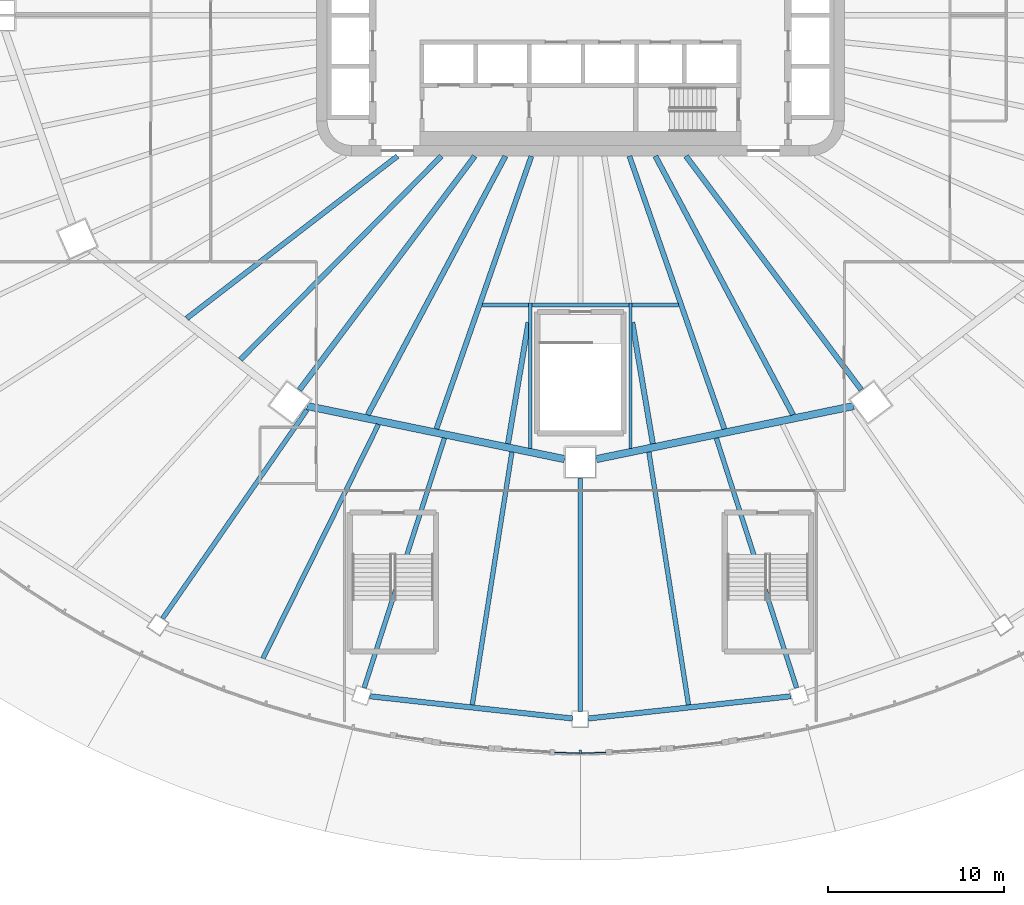
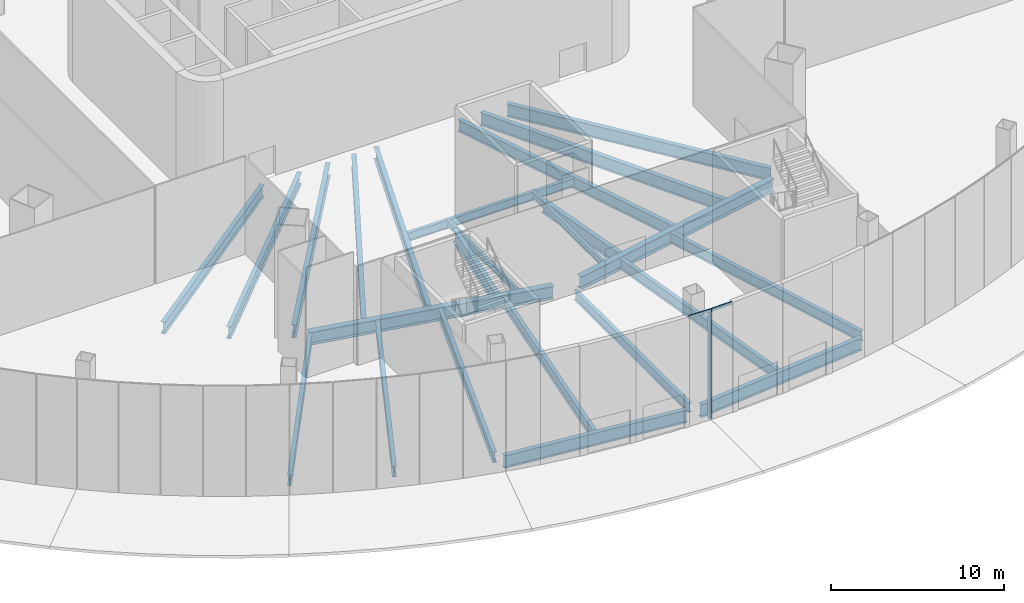
# One storey, part 3 of 36: 24 beams, 3 members, 2 elements without a shape of their own.
"""IFC4 building model written with IfcOpenShell, lengths in metres."""

from ifc_helpers import new_model, si_unit, direction, frame, origin, origin_2d, place, context, subcontext, project, spatial, rectangle, i_section, extrude, material, layer, layer_set, material_profile, profile_set, type_object, element, aggregate, save


model = new_model("IFC4")

# Units and contexts
model_context = context("Model", 3, precision=1e-05, world=origin(), true_north=direction((0.0, 1.0)))
body_context = subcontext(model_context, "Body", "Model", "MODEL_VIEW")
ifc_project = project(units=[si_unit("LENGTHUNIT", "METRE"), si_unit("AREAUNIT", "SQUARE_METRE"), si_unit("VOLUMEUNIT", "CUBIC_METRE"), si_unit("PLANEANGLEUNIT", "RADIAN"), si_unit("MASSUNIT", "GRAM", prefix="KILO")], contexts=[model_context])

# Site, building, storey
site_placement = place(None, origin())
site = spatial("IfcSite", under=ifc_project, at=site_placement, CompositionType="ELEMENT")
building_placement = place(site_placement, origin())
building = spatial("IfcBuilding", under=site, at=building_placement, Name="Sahrelin Media Tower", CompositionType="ELEMENT")
storey_placement = place(building_placement, origin())
storey = spatial("IfcBuildingStorey", under=building, at=storey_placement, Name="L00", CompositionType="ELEMENT", Elevation=0.0)

# Beams
ifc_material_1 = material(Name="Steel S355", Category="steel")
ifc_material_profile_1 = material_profile(ifc_material_1, i_section(OverallWidth=0.1904296875, OverallDepth=0.45703125, WebThickness=0.009033203125, FlangeThickness=0.014404296875, FilletRadius=0.01025390625, at=origin_2d()), Name="UB 457x191x74")
ifc_profile_set_1 = profile_set([ifc_material_profile_1], Name="Steel S355")
beam_type_1 = type_object("IfcBeamType", Name="Header beam HB5", PredefinedType="BEAM", material=ifc_profile_set_1)
for number, where, z_axis, x_axis, name in (
    (1, (-2.85009765625, -24.5986328125, -0.528564453125), (0.0, 1.0, 0.0), (-1.0, 0.0, 0.0), "Header beam L00-05"),
    (2, (2.85009765625, -16.335693359375, -0.528564453125), (0.0, -1.0, 0.0), (1.0, 0.0, 0.0), "Header beam L00-06"),
):
    element("IfcBeam", number, at=place(storey_placement, frame(where, z_axis=z_axis, x_axis=x_axis)), inside=storey, type_object=beam_type_1, Name=name, PredefinedType="BEAM", context=body_context, shape_type="SweptSolid", body=[
        extrude(i_section(OverallWidth=0.1904296875, OverallDepth=0.45703125, WebThickness=0.009033203125, FlangeThickness=0.014404296875, FilletRadius=0.01025390625, at=origin_2d()), origin(), (0.0, 0.0, 1.0), 8.262939453125),
    ])
ifc_material_profile_2 = material_profile(ifc_material_1, i_section(OverallWidth=0.2275390625, OverallDepth=0.6025390625, WebThickness=0.010498046875, FlangeThickness=0.014892578125, FilletRadius=0.0126953125, at=origin_2d()), Name="UB 610x229x101")
ifc_profile_set_2 = profile_set([ifc_material_profile_2], Name="Steel S355")
beam_type_2 = type_object("IfcBeamType", Name="Header beam HB7", PredefinedType="BEAM", material=ifc_profile_set_2)
beam_1_placement = place(storey_placement, frame((-5.572265625, -16.449951171875, -0.601318359375), z_axis=(1.0, 0.0, 0.0), x_axis=(0.0, 1.0, 0.0)))
element("IfcBeam", 3, at=beam_1_placement, inside=storey, type_object=beam_type_2, Name="Header beam L00-02", PredefinedType="BEAM", context=body_context, shape_type="SweptSolid", body=[
    extrude(i_section(OverallWidth=0.2275390625, OverallDepth=0.6025390625, WebThickness=0.010498046875, FlangeThickness=0.014892578125, FilletRadius=0.0126953125, at=origin_2d()), origin(), (0.0, 0.0, 1.0), 11.14453125),
])

# Curtain wall, member
ifc_material_2 = material(Name="Champagne anodised aluminium 6063-T6", Category="aluminium")
ifc_layer = layer(ifc_material_2, 0.14990234375)
ifc_layer_set = layer_set([ifc_layer], Name="Entrance bay curtain wall")
curtain_wall_type = type_object("IfcCurtainWallType", Name="Entrance bay curtain wall", PredefinedType="NOTDEFINED", material=ifc_layer_set)
curtain_wall_1_placement = place(storey_placement, frame((0.0, -42.0, 0.0), z_axis=(0.0, 0.0, 1.0), x_axis=(1.0, 0.0, 0.0)))
curtain_wall_1 = element("IfcCurtainWall", 4, at=curtain_wall_1_placement, inside=storey, type_object=curtain_wall_type, Name="L00:CW:L00-P18", PredefinedType="NOTDEFINED")
ifc_material_profile_3 = material_profile(ifc_material_2, rectangle(XDim=0.1201171875, YDim=0.25, at=origin_2d()), Name="Mullion 120x250")
ifc_profile_set_3 = profile_set([ifc_material_profile_3], Name="Champagne anodised aluminium 6063-T6")
member_type_1 = type_object("IfcMemberType", Name="Mullion 120x250 CW6", PredefinedType="MULLION", material=ifc_profile_set_3)
member_1_placement = place(storey_placement, frame((-0.003173828125, -41.85498046875, 0.0), z_axis=(0.0, 0.0, 1.0), x_axis=(0.999757820498, 0.022006825162, 0.0)))
member_1 = element("IfcMember", 5, at=member_1_placement, type_object=member_type_1, Name="L00:CWM1:L00-P18", PredefinedType="MULLION", context=body_context, shape_type="SweptSolid", body=[
    extrude(rectangle(XDim=0.1201171875, YDim=0.25, at=origin_2d()), origin(), (0.0, 0.0, 1.0), 7.60009765625),
])

# Beams
ifc_material_profile_4 = material_profile(ifc_material_1, i_section(OverallWidth=0.30322265625, OverallDepth=0.903076171875, WebThickness=0.01513671875, FlangeThickness=0.020263671875, FilletRadius=0.01904296875, at=origin_2d()), Name="UB 914x305x201")
ifc_profile_set_4 = profile_set([ifc_material_profile_4], Name="Steel S355")
beam_type_3 = type_object("IfcBeamType", Name="Podium edge girder PE11", PredefinedType="BEAM", material=ifc_profile_set_4)
for number, where, z_axis, x_axis, name in (
    (6, (-11.966796875, -38.68701171875, -0.75146484375), (0.994034160473, -0.109069188193, 0.0), (0.109069188193, 0.994034160473, 0.0), "Podium edge girder L00-18"),
    (7, (0.449951171875, -39.95068359375, -0.75146484375), (0.994034160473, 0.109069188193, 0.0), (-0.109069188193, 0.994034160473, 0.0), "Podium edge girder L00-19"),
):
    element("IfcBeam", number, at=place(storey_placement, frame(where, z_axis=z_axis, x_axis=x_axis)), inside=storey, type_object=beam_type_3, Name=name, PredefinedType="BEAM", context=body_context, shape_type="SweptSolid", body=[
        extrude(i_section(OverallWidth=0.30322265625, OverallDepth=0.903076171875, WebThickness=0.01513671875, FlangeThickness=0.020263671875, FilletRadius=0.01904296875, at=origin_2d()), origin(), (0.0, 0.0, 1.0), 11.5859375),
    ])
ifc_material_profile_5 = material_profile(ifc_material_1, i_section(OverallWidth=0.41845703125, OverallDepth=0.911865234375, WebThickness=0.019287109375, FlangeThickness=0.031982421875, FilletRadius=0.024169921875, at=origin_2d()), Name="UB 914x419x343")
ifc_profile_set_5 = profile_set([ifc_material_profile_5], Name="Steel S355")
beam_type_4 = type_object("IfcBeamType", Name="Podium ring girder PG12", PredefinedType="BEAM", material=ifc_profile_set_5)
for number, where, z_axis, x_axis, name in (
    (8, (-15.525634765625, -22.197998046875, -0.755859375), (0.979388513106, -0.201985495508, 0.0), (0.201985495508, 0.979388513106, 0.0), "Podium girder L00-09"),
    (9, (0.89990234375, -25.21435546875, -0.755859375), (0.979388513106, 0.201985495508, 0.0), (-0.201985495508, 0.979388513106, 0.0), "Podium girder L00-10"),
):
    element("IfcBeam", number, at=place(storey_placement, frame(where, z_axis=z_axis, x_axis=x_axis)), inside=storey, type_object=beam_type_4, Name=name, PredefinedType="BEAM", context=body_context, shape_type="SweptSolid", body=[
        extrude(i_section(OverallWidth=0.41845703125, OverallDepth=0.911865234375, WebThickness=0.019287109375, FlangeThickness=0.031982421875, FilletRadius=0.024169921875, at=origin_2d()), origin(), (0.0, 0.0, 1.0), 14.93359375),
    ])
ifc_material_profile_6 = material_profile(ifc_material_1, i_section(OverallWidth=0.291748046875, OverallDepth=0.8349609375, WebThickness=0.013916015625, FlangeThickness=0.018798828125, FilletRadius=0.017822265625, at=origin_2d()), Name="UB 838x292x176")
ifc_profile_set_6 = profile_set([ifc_material_profile_6], Name="Steel S355")
beam_type_5 = type_object("IfcBeamType", Name="Radial primary beam PB10", PredefinedType="BEAM", material=ifc_profile_set_6)
beam_2_placement = place(storey_placement, frame((-10.393798828125, -8.0, -0.71728515625), z_axis=(-0.79244196099, -0.609947324335, 0.0), x_axis=(0.609947324335, -0.79244196099, 0.0)))
element("IfcBeam", 10, at=beam_2_placement, inside=storey, type_object=beam_type_5, Name="Radial beam L00-16", PredefinedType="BEAM", context=body_context, shape_type="SweptSolid", body=[
    extrude(i_section(OverallWidth=0.291748046875, OverallDepth=0.8349609375, WebThickness=0.013916015625, FlangeThickness=0.018798828125, FilletRadius=0.017822265625, at=origin_2d()), origin(), (0.0, 0.0, 1.0), 15.1103515625),
])
for number, where, z_axis, x_axis, name in (
    (11, (-2.784912109375, -8.0, -0.71728515625), (-0.328776215552, -0.944407856854, 0.0), (0.944407856854, -0.328776215552, 0.0), "Radial beam L00-18"),
    (12, (2.784912109375, -8.0, -0.71728515625), (0.328776215552, -0.944407856854, 0.0), (0.944407856854, 0.328776215552, 0.0), "Radial beam L00-20"),
):
    element("IfcBeam", number, at=place(storey_placement, frame(where, z_axis=z_axis, x_axis=x_axis)), inside=storey, type_object=beam_type_5, Name=name, PredefinedType="BEAM", context=body_context, shape_type="SweptSolid", body=[
        extrude(i_section(OverallWidth=0.291748046875, OverallDepth=0.8349609375, WebThickness=0.013916015625, FlangeThickness=0.018798828125, FilletRadius=0.017822265625, at=origin_2d()), origin(), (0.0, 0.0, 1.0), 16.41162109375),
    ])
ifc_material_profile_7 = material_profile(ifc_material_1, i_section(OverallWidth=0.30322265625, OverallDepth=0.903076171875, WebThickness=0.01513671875, FlangeThickness=0.020263671875, FilletRadius=0.01904296875, at=origin_2d()), Name="UB 914x305x201")
ifc_profile_set_7 = profile_set([ifc_material_profile_7], Name="Steel S355")
beam_type_6 = type_object("IfcBeamType", Name="Radial primary beam PB11", PredefinedType="BEAM", material=ifc_profile_set_7)
for number, where, z_axis, x_axis, name in (
    (13, (-6.000732421875, -8.0, -0.75146484375), (-0.600054130443, -0.799959399306, 0.0), (0.799959399306, -0.600054130443, 0.0), "Radial beam L00-17"),
    (14, (6.000732421875, -8.0, -0.75146484375), (0.600054130443, -0.799959399306, 0.0), (0.799959399306, 0.600054130443, 0.0), "Radial beam L00-21"),
):
    element("IfcBeam", number, at=place(storey_placement, frame(where, z_axis=z_axis, x_axis=x_axis)), inside=storey, type_object=beam_type_6, Name=name, PredefinedType="BEAM", context=body_context, shape_type="SweptSolid", body=[
        extrude(i_section(OverallWidth=0.30322265625, OverallDepth=0.903076171875, WebThickness=0.01513671875, FlangeThickness=0.020263671875, FilletRadius=0.01904296875, at=origin_2d()), origin(), (0.0, 0.0, 1.0), 16.59716796875),
    ])
ifc_material_profile_8 = material_profile(ifc_material_1, i_section(OverallWidth=0.2529296875, OverallDepth=0.677978515625, WebThickness=0.01171875, FlangeThickness=0.01611328125, FilletRadius=0.01513671875, at=origin_2d()), Name="UB 686x254x125")
ifc_profile_set_8 = profile_set([ifc_material_profile_8], Name="Steel S355")
beam_type_7 = type_object("IfcBeamType", Name="Radial primary beam PB8", PredefinedType="BEAM", material=ifc_profile_set_8)
beam_3_placement = place(storey_placement, frame((0.0, -26.300048828125, -0.638916015625), z_axis=(0.0, -1.0, 0.0), x_axis=(1.0, 0.0, 0.0)))
element("IfcBeam", 15, at=beam_3_placement, inside=storey, type_object=beam_type_7, Name="Radial beam L00-19", PredefinedType="BEAM", context=body_context, shape_type="SweptSolid", body=[
    extrude(i_section(OverallWidth=0.2529296875, OverallDepth=0.677978515625, WebThickness=0.01171875, FlangeThickness=0.01611328125, FilletRadius=0.01513671875, at=origin_2d()), origin(), (0.0, 0.0, 1.0), 13.25),
])
ifc_material_profile_9 = material_profile(ifc_material_1, i_section(OverallWidth=0.26513671875, OverallDepth=0.75390625, WebThickness=0.0126953125, FlangeThickness=0.017578125, FilletRadius=0.0166015625, at=origin_2d()), Name="UB 762x267x147")
ifc_profile_set_9 = profile_set([ifc_material_profile_9], Name="Steel S355")
beam_type_8 = type_object("IfcBeamType", Name="Radial primary beam PB9", PredefinedType="BEAM", material=ifc_profile_set_9)
beam_4_placement = place(storey_placement, frame((-15.527099609375, -22.411376953125, -0.677001953125), z_axis=(-0.569493278726, -0.821995988729, 0.0), x_axis=(0.821995988729, -0.569493278726, 0.0)))
element("IfcBeam", 16, at=beam_4_placement, inside=storey, type_object=beam_type_8, Name="Radial beam L00-17", PredefinedType="BEAM", context=body_context, shape_type="SweptSolid", body=[
    extrude(i_section(OverallWidth=0.26513671875, OverallDepth=0.75390625, WebThickness=0.0126953125, FlangeThickness=0.017578125, FilletRadius=0.0166015625, at=origin_2d()), origin(), (0.0, 0.0, 1.0), 14.427734375),
])
for number, where, z_axis, x_axis, name in (
    (17, (-7.7236328125, -24.020751953125, -0.677001953125), (-0.306110461813, -0.951996000606, 0.0), (0.951996000606, -0.306110461813, 0.0), "Radial beam L00-18"),
    (18, (7.7236328125, -24.020751953125, -0.677001953125), (0.306110461813, -0.951996000606, 0.0), (0.951996000606, 0.306110461813, 0.0), "Radial beam L00-20"),
):
    element("IfcBeam", number, at=place(storey_placement, frame(where, z_axis=z_axis, x_axis=x_axis)), inside=storey, type_object=beam_type_8, Name=name, PredefinedType="BEAM", context=body_context, shape_type="SweptSolid", body=[
        extrude(i_section(OverallWidth=0.26513671875, OverallDepth=0.75390625, WebThickness=0.0126953125, FlangeThickness=0.017578125, FilletRadius=0.0166015625, at=origin_2d()), origin(), (0.0, 0.0, 1.0), 14.903076171875),
    ])
ifc_material_profile_10 = material_profile(ifc_material_1, i_section(OverallWidth=0.291748046875, OverallDepth=0.8349609375, WebThickness=0.013916015625, FlangeThickness=0.018798828125, FilletRadius=0.017822265625, at=origin_2d()), Name="UB 838x292x176")
ifc_profile_set_10 = profile_set([ifc_material_profile_10], Name="Steel S355")
beam_type_9 = type_object("IfcBeamType", Name="Radial secondary beam SB10", PredefinedType="BEAM", material=ifc_profile_set_10)
beam_5_placement = place(storey_placement, frame((-7.901123046875, -8.0, -0.71728515625), z_axis=(-0.702706329063, -0.711480017355, 0.0), x_axis=(0.711480017355, -0.702706329063, 0.0)))
element("IfcBeam", 19, at=beam_5_placement, inside=storey, type_object=beam_type_9, Name="Secondary beam L00-18", PredefinedType="BEAM", context=body_context, shape_type="SweptSolid", body=[
    extrude(i_section(OverallWidth=0.291748046875, OverallDepth=0.8349609375, WebThickness=0.013916015625, FlangeThickness=0.018798828125, FilletRadius=0.017822265625, at=origin_2d()), origin(), (0.0, 0.0, 1.0), 16.250732421875),
])
ifc_material_profile_11 = material_profile(ifc_material_1, i_section(OverallWidth=0.30322265625, OverallDepth=0.903076171875, WebThickness=0.01513671875, FlangeThickness=0.020263671875, FilletRadius=0.01904296875, at=origin_2d()), Name="UB 914x305x201")
ifc_profile_set_11 = profile_set([ifc_material_profile_11], Name="Steel S355")
beam_type_10 = type_object("IfcBeamType", Name="Radial secondary beam SB11", PredefinedType="BEAM", material=ifc_profile_set_11)
beam_6_placement = place(storey_placement, frame((-4.259765625, -8.0, -0.75146484375), z_axis=(-0.469997453325, -0.882667770947, 0.0), x_axis=(0.882667770947, -0.469997453325, 0.0)))
element("IfcBeam", 20, at=beam_6_placement, inside=storey, type_object=beam_type_10, Name="Secondary beam L00-19", PredefinedType="BEAM", context=body_context, shape_type="SweptSolid", body=[
    extrude(i_section(OverallWidth=0.30322265625, OverallDepth=0.903076171875, WebThickness=0.01513671875, FlangeThickness=0.020263671875, FilletRadius=0.01904296875, at=origin_2d()), origin(), (0.0, 0.0, 1.0), 16.6474609375),
])
for number, where, z_axis, x_axis, name in (
    (21, (-2.949951171875, -17.44677734375, -0.75146484375), (-0.166704170057, -0.98600695722, 0.0), (0.98600695722, -0.166704170057, 0.0), "Secondary beam L00-21"),
    (22, (2.949951171875, -17.44677734375, -0.75146484375), (0.166704170057, -0.98600695722, 0.0), (0.98600695722, 0.166704170057, 0.0), "Secondary beam L00-23"),
):
    element("IfcBeam", number, at=place(storey_placement, frame(where, z_axis=z_axis, x_axis=x_axis)), inside=storey, type_object=beam_type_10, Name=name, PredefinedType="BEAM", context=body_context, shape_type="SweptSolid", body=[
        extrude(i_section(OverallWidth=0.30322265625, OverallDepth=0.903076171875, WebThickness=0.01513671875, FlangeThickness=0.020263671875, FilletRadius=0.01904296875, at=origin_2d()), origin(), (0.0, 0.0, 1.0), 6.98876953125),
    ])
beam_7_placement = place(storey_placement, frame((4.259765625, -8.0, -0.75146484375), z_axis=(0.469997453325, -0.882667770947, 0.0), x_axis=(0.882667770947, 0.469997453325, 0.0)))
element("IfcBeam", 23, at=beam_7_placement, inside=storey, type_object=beam_type_10, Name="Secondary beam L00-24", PredefinedType="BEAM", context=body_context, shape_type="SweptSolid", body=[
    extrude(i_section(OverallWidth=0.30322265625, OverallDepth=0.903076171875, WebThickness=0.01513671875, FlangeThickness=0.020263671875, FilletRadius=0.01904296875, at=origin_2d()), origin(), (0.0, 0.0, 1.0), 16.6474609375),
])
ifc_material_profile_12 = material_profile(ifc_material_1, i_section(OverallWidth=0.26513671875, OverallDepth=0.75390625, WebThickness=0.0126953125, FlangeThickness=0.017578125, FilletRadius=0.0166015625, at=origin_2d()), Name="UB 762x267x147")
ifc_profile_set_12 = profile_set([ifc_material_profile_12], Name="Steel S355")
beam_type_11 = type_object("IfcBeamType", Name="Radial secondary beam SB9", PredefinedType="BEAM", material=ifc_profile_set_12)
beam_8_placement = place(storey_placement, frame((-11.47412109375, -23.247314453125, -0.677001953125), z_axis=(-0.442602611298, -0.896717864477, 0.0), x_axis=(0.896717864477, -0.442602611298, 0.0)))
element("IfcBeam", 24, at=beam_8_placement, inside=storey, type_object=beam_type_11, Name="Secondary beam L00-17", PredefinedType="BEAM", context=body_context, shape_type="SweptSolid", body=[
    extrude(i_section(OverallWidth=0.26513671875, OverallDepth=0.75390625, WebThickness=0.0126953125, FlangeThickness=0.017578125, FilletRadius=0.0166015625, at=origin_2d()), origin(), (0.0, 0.0, 1.0), 14.8232421875),
])
for number, where, z_axis, x_axis, name in (
    (25, (-3.890869140625, -24.811279296875, -0.677001953125), (-0.154919883605, -0.987927036609, 0.0), (0.987927036609, -0.154919883605, 0.0), "Secondary beam L00-18"),
    (26, (3.890869140625, -24.811279296875, -0.677001953125), (0.154919883605, -0.987927036609, 0.0), (0.987927036609, 0.154919883605, 0.0), "Secondary beam L00-19"),
):
    element("IfcBeam", number, at=place(storey_placement, frame(where, z_axis=z_axis, x_axis=x_axis)), inside=storey, type_object=beam_type_11, Name=name, PredefinedType="BEAM", context=body_context, shape_type="SweptSolid", body=[
        extrude(i_section(OverallWidth=0.26513671875, OverallDepth=0.75390625, WebThickness=0.0126953125, FlangeThickness=0.017578125, FilletRadius=0.0166015625, at=origin_2d()), origin(), (0.0, 0.0, 1.0), 14.537841796875),
    ])

# Curtain wall, member
curtain_wall_2_placement = place(storey_placement, frame((-1.450927734375, -41.968017578125, 0.0), z_axis=(0.0, 0.0, 1.0), x_axis=(1.0, 0.0, 0.0)))
curtain_wall_2 = element("IfcCurtainWall", 27, at=curtain_wall_2_placement, inside=storey, type_object=curtain_wall_type, Name="L00:CW2:L00-P17", PredefinedType="NOTDEFINED")
ifc_material_profile_13 = material_profile(ifc_material_2, rectangle(XDim=0.080078125, YDim=0.199951171875, at=origin_2d()), Name="Transom 80x200")
ifc_profile_set_13 = profile_set([ifc_material_profile_13], Name="Champagne anodised aluminium 6063-T6")
member_type_2 = type_object("IfcMemberType", Name="Transom 80x200 CW6", PredefinedType="USERDEFINED", material=ifc_profile_set_13)
member_2_placement = place(storey_placement, frame((-1.44970703125, -41.908203125, 7.699951171875), z_axis=(0.999760839514, -0.021869242661, 0.0), x_axis=(0.021869242661, 0.999760839514, 0.0)))
member_2 = element("IfcMember", 28, at=member_2_placement, type_object=member_type_2, Name="L00:CWT5a:L00-P17", ObjectType="TRANSOM", PredefinedType="USERDEFINED", context=body_context, shape_type="SweptSolid", body=[
    extrude(rectangle(XDim=0.080078125, YDim=0.199951171875, at=origin_2d()), origin(), (0.0, 0.0, 1.0), 1.451171875),
])
aggregate(curtain_wall_2, [member_2])

# Member
member_3_placement = place(storey_placement, frame((0.068603515625, -41.9384765625, 7.699951171875), z_axis=(0.999759848916, 0.021914481397, 0.0), x_axis=(-0.021914481397, 0.999759848916, 0.0)))
member_3 = element("IfcMember", 29, at=member_3_placement, type_object=member_type_2, Name="L00:CWT1a:L00-P18", ObjectType="TRANSOM", PredefinedType="USERDEFINED", context=body_context, shape_type="SweptSolid", body=[
    extrude(rectangle(XDim=0.080078125, YDim=0.199951171875, at=origin_2d()), origin(), (0.0, 0.0, 1.0), 1.38134765625),
])

aggregate(curtain_wall_1, [member_1, member_3])

save(model, "model.ifc")
